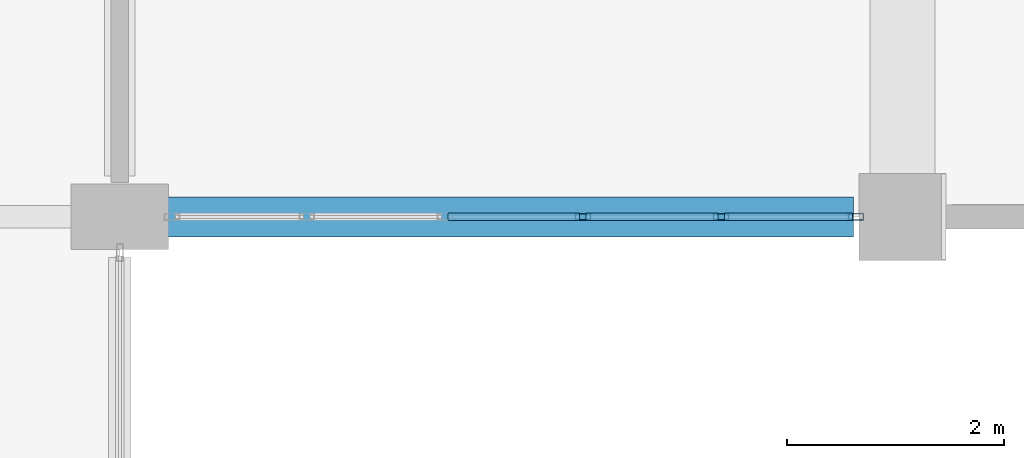
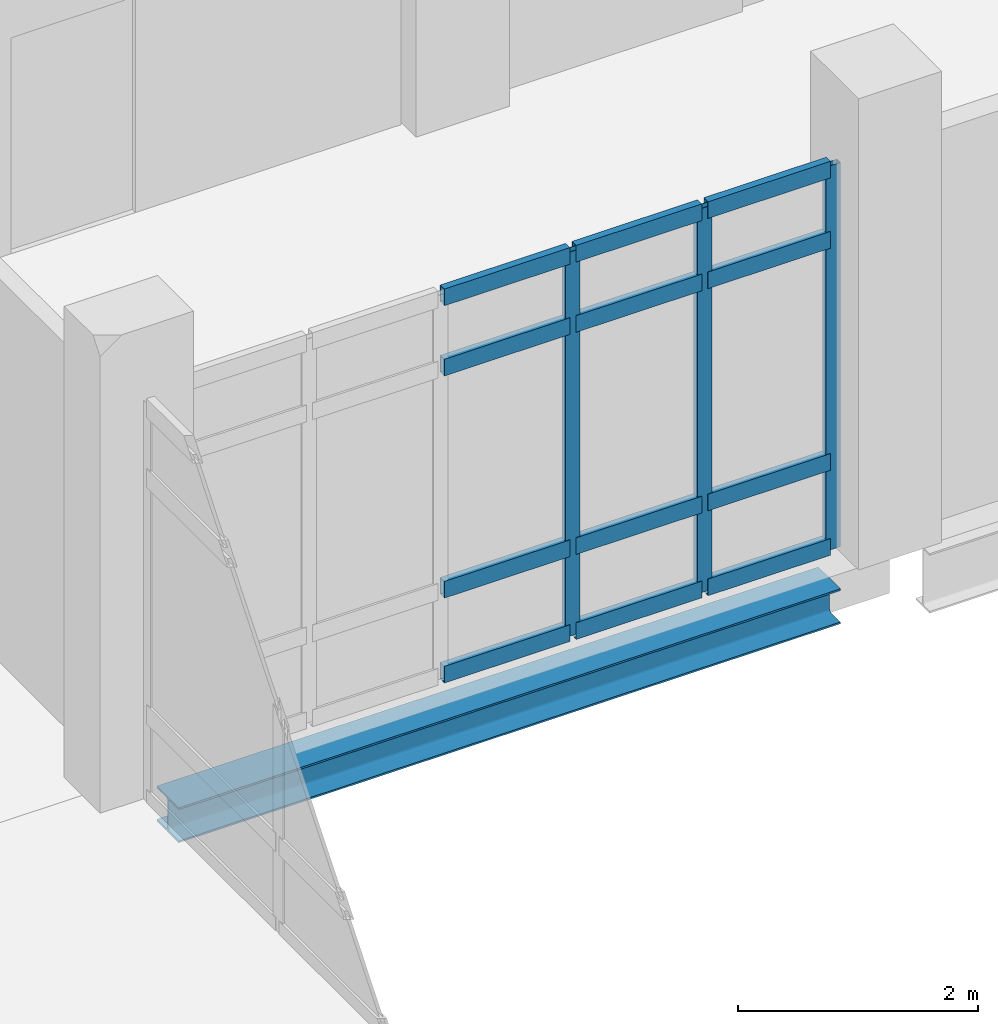
# One storey, part 98 of 186: 15 members, 1 beam, 1 element without a shape of its own.
"""IFC4 building model written with IfcOpenShell, lengths in metres."""

from ifc_helpers import new_model, si_unit, direction, frame, origin, origin_2d, place, context, subcontext, project, spatial, hollow_rectangle, i_section, extrude, material, layer, layer_set, material_profile, profile_set, type_object, element, aggregate, save


model = new_model("IFC4")

# Units and contexts
model_context = context("Model", 3, precision=1e-05, world=origin(), true_north=direction((0.0, 1.0)))
body_context = subcontext(model_context, "Body", "Model", "MODEL_VIEW")
ifc_project = project(units=[si_unit("LENGTHUNIT", "METRE"), si_unit("AREAUNIT", "SQUARE_METRE"), si_unit("VOLUMEUNIT", "CUBIC_METRE"), si_unit("PLANEANGLEUNIT", "RADIAN"), si_unit("MASSUNIT", "GRAM", prefix="KILO")], contexts=[model_context])

# Site, building, storey
site_placement = place(None, origin())
site = spatial("IfcSite", under=ifc_project, at=site_placement, CompositionType="ELEMENT")
building_placement = place(site_placement, origin())
building = spatial("IfcBuilding", under=site, at=building_placement, Name="Calvrana Isthmian Art Gallery", CompositionType="ELEMENT")
storey_placement = place(building_placement, frame((0.0, 0.0, 5.39990234375)))
storey = spatial("IfcBuildingStorey", under=building, at=storey_placement, Name="L01", CompositionType="ELEMENT", Elevation=5.39990234375)

# Beam
ifc_material_1 = material(Name="Steel ASTM A992 Gr 50", Category="steel")
ifc_material_profile_1 = material_profile(ifc_material_1, i_section(OverallWidth=0.367919921875, OverallDepth=0.35595703125, WebThickness=0.01123046875, FlangeThickness=0.01806640625, FilletRadius=0.02490234375, at=origin_2d()), Name="W14X90")
ifc_profile_set_1 = profile_set([ifc_material_profile_1], Name="Steel ASTM A992 Gr 50")
beam_type = type_object("IfcBeamType", Name="BM-SP-W14X90", PredefinedType="SPANDREL", material=ifc_profile_set_1)
beam_placement = place(storey_placement, frame((120.375, 76.800048828125, -0.48291015625), z_axis=(1.0, 0.0, 0.0), x_axis=(0.0, 1.0, 0.0)))
element("IfcBeam", 1, at=beam_placement, inside=storey, type_object=beam_type, Name="Girder X L01 16-17/K", PredefinedType="SPANDREL", context=body_context, shape_type="SweptSolid", body=[
    extrude(i_section(OverallWidth=0.367919921875, OverallDepth=0.35595703125, WebThickness=0.01123046875, FlangeThickness=0.01806640625, FilletRadius=0.02490234375, at=origin_2d()), origin(), (0.0, 0.0, 1.0), 6.375),
])

# Curtain wall, members
ifc_material_2 = material(Name="Anodized bronze aluminium 6063-T6", Category="aluminium")
ifc_layer = layer(ifc_material_2, 0.179931640625, Name="Anodized bronze aluminium 6063-T6")
ifc_layer_set = layer_set([ifc_layer], Name="Anodized bronze aluminium 6063-T6")
curtain_wall_type = type_object("IfcCurtainWallType", Name="CW-UNIT-063X39", PredefinedType="USERDEFINED", material=ifc_layer_set)
curtain_wall_placement = place(storey_placement, origin())
curtain_wall = element("IfcCurtainWall", 2, at=curtain_wall_placement, inside=storey, type_object=curtain_wall_type, Name="Curtain wall CW-108", ObjectType="UNITISED CURTAIN WALL", PredefinedType="USERDEFINED")
ifc_material_profile_2 = material_profile(ifc_material_2, hollow_rectangle(XDim=0.06005859375, YDim=0.139892578125, WallThickness=0.00390625, at=origin_2d()), Name="CWM60X140")
ifc_profile_set_2 = profile_set([ifc_material_profile_2], Name="Anodized bronze aluminium 6063-T6")
member_type_1 = type_object("IfcMemberType", Name="CWM-CWM60X140", PredefinedType="MULLION", material=ifc_profile_set_2)
member_1_placement = place(storey_placement, frame((126.77001953125, 76.800048828125, 0.0), z_axis=(0.0, 0.0, 1.0), x_axis=(0.0, -1.0, 0.0)))
member_1 = element("IfcMember", 3, at=member_1_placement, type_object=member_type_1, Name="CW-108 mullion 1", PredefinedType="MULLION", context=body_context, shape_type="SweptSolid", body=[
    extrude(hollow_rectangle(XDim=0.06005859375, YDim=0.139892578125, WallThickness=0.00390625, at=origin_2d()), origin(), (0.0, 0.0, 1.0), 3.9130859375),
])
member_2_placement = place(storey_placement, frame((125.530029296875, 76.800048828125, 0.0), z_axis=(0.0, 0.0, 1.0), x_axis=(0.0, -1.0, 0.0)))
member_2 = element("IfcMember", 4, at=member_2_placement, type_object=member_type_1, Name="CW-108 mullion 2", PredefinedType="MULLION", context=body_context, shape_type="SweptSolid", body=[
    extrude(hollow_rectangle(XDim=0.06005859375, YDim=0.139892578125, WallThickness=0.00390625, at=origin_2d()), origin(), (0.0, 0.0, 1.0), 3.9130859375),
])
member_3_placement = place(storey_placement, frame((124.260009765625, 76.800048828125, 0.0), z_axis=(0.0, 0.0, 1.0), x_axis=(0.0, -1.0, 0.0)))
member_3 = element("IfcMember", 5, at=member_3_placement, type_object=member_type_1, Name="CW-108 mullion 3", PredefinedType="MULLION", context=body_context, shape_type="SweptSolid", body=[
    extrude(hollow_rectangle(XDim=0.06005859375, YDim=0.139892578125, WallThickness=0.00390625, at=origin_2d()), origin(), (0.0, 0.0, 1.0), 3.9130859375),
])
ifc_material_profile_3 = material_profile(ifc_material_2, hollow_rectangle(XDim=0.070068359375, YDim=0.169921875, WallThickness=0.00439453125, at=origin_2d()), Name="CWT70X170")
ifc_profile_set_3 = profile_set([ifc_material_profile_3], Name="Anodized bronze aluminium 6063-T6")
member_type_2 = type_object("IfcMemberType", Name="CWT-CWT70X170", PredefinedType="USERDEFINED", material=ifc_profile_set_3)
member_4_placement = place(storey_placement, frame((126.739990234375, 76.800048828125, 0.03515625), z_axis=(-1.0, 0.0, 0.0), x_axis=(0.0, -1.0, 0.0)))
member_4 = element("IfcMember", 6, at=member_4_placement, type_object=member_type_2, Name="CW-108 transom 1.1", ObjectType="TRANSOM", PredefinedType="USERDEFINED", context=body_context, shape_type="SweptSolid", body=[
    extrude(hollow_rectangle(XDim=0.070068359375, YDim=0.169921875, WallThickness=0.00439453125, at=origin_2d()), origin(), (0.0, 0.0, 1.0), 1.179931640625),
])
member_5_placement = place(storey_placement, frame((126.739990234375, 76.800048828125, 0.900146484375), z_axis=(-1.0, 0.0, 0.0), x_axis=(0.0, -1.0, 0.0)))
member_5 = element("IfcMember", 7, at=member_5_placement, type_object=member_type_2, Name="CW-108 transom 1.2", ObjectType="TRANSOM", PredefinedType="USERDEFINED", context=body_context, shape_type="SweptSolid", body=[
    extrude(hollow_rectangle(XDim=0.070068359375, YDim=0.169921875, WallThickness=0.00439453125, at=origin_2d()), origin(), (0.0, 0.0, 1.0), 1.179931640625),
])
member_6_placement = place(storey_placement, frame((126.739990234375, 76.800048828125, 3.1630859375), z_axis=(-1.0, 0.0, 0.0), x_axis=(0.0, -1.0, 0.0)))
member_6 = element("IfcMember", 8, at=member_6_placement, type_object=member_type_2, Name="CW-108 transom 1.3", ObjectType="TRANSOM", PredefinedType="USERDEFINED", context=body_context, shape_type="SweptSolid", body=[
    extrude(hollow_rectangle(XDim=0.070068359375, YDim=0.169921875, WallThickness=0.00439453125, at=origin_2d()), origin(), (0.0, 0.0, 1.0), 1.179931640625),
])
member_7_placement = place(storey_placement, frame((126.739990234375, 76.800048828125, 3.878173828125), z_axis=(-1.0, 0.0, 0.0), x_axis=(0.0, -1.0, 0.0)))
member_7 = element("IfcMember", 9, at=member_7_placement, type_object=member_type_2, Name="CW-108 transom 1.4", ObjectType="TRANSOM", PredefinedType="USERDEFINED", context=body_context, shape_type="SweptSolid", body=[
    extrude(hollow_rectangle(XDim=0.070068359375, YDim=0.169921875, WallThickness=0.00439453125, at=origin_2d()), origin(), (0.0, 0.0, 1.0), 1.179931640625),
])
member_8_placement = place(storey_placement, frame((125.5, 76.800048828125, 0.03515625), z_axis=(-1.0, 0.0, 0.0), x_axis=(0.0, -1.0, 0.0)))
member_8 = element("IfcMember", 10, at=member_8_placement, type_object=member_type_2, Name="CW-108 transom 2.1", ObjectType="TRANSOM", PredefinedType="USERDEFINED", context=body_context, shape_type="SweptSolid", body=[
    extrude(hollow_rectangle(XDim=0.070068359375, YDim=0.169921875, WallThickness=0.00439453125, at=origin_2d()), origin(), (0.0, 0.0, 1.0), 1.2099609375),
])
member_9_placement = place(storey_placement, frame((125.5, 76.800048828125, 0.900146484375), z_axis=(-1.0, 0.0, 0.0), x_axis=(0.0, -1.0, 0.0)))
member_9 = element("IfcMember", 11, at=member_9_placement, type_object=member_type_2, Name="CW-108 transom 2.2", ObjectType="TRANSOM", PredefinedType="USERDEFINED", context=body_context, shape_type="SweptSolid", body=[
    extrude(hollow_rectangle(XDim=0.070068359375, YDim=0.169921875, WallThickness=0.00439453125, at=origin_2d()), origin(), (0.0, 0.0, 1.0), 1.2099609375),
])
member_10_placement = place(storey_placement, frame((125.5, 76.800048828125, 3.1630859375), z_axis=(-1.0, 0.0, 0.0), x_axis=(0.0, -1.0, 0.0)))
member_10 = element("IfcMember", 12, at=member_10_placement, type_object=member_type_2, Name="CW-108 transom 2.3", ObjectType="TRANSOM", PredefinedType="USERDEFINED", context=body_context, shape_type="SweptSolid", body=[
    extrude(hollow_rectangle(XDim=0.070068359375, YDim=0.169921875, WallThickness=0.00439453125, at=origin_2d()), origin(), (0.0, 0.0, 1.0), 1.2099609375),
])
member_11_placement = place(storey_placement, frame((125.5, 76.800048828125, 3.878173828125), z_axis=(-1.0, 0.0, 0.0), x_axis=(0.0, -1.0, 0.0)))
member_11 = element("IfcMember", 13, at=member_11_placement, type_object=member_type_2, Name="CW-108 transom 2.4", ObjectType="TRANSOM", PredefinedType="USERDEFINED", context=body_context, shape_type="SweptSolid", body=[
    extrude(hollow_rectangle(XDim=0.070068359375, YDim=0.169921875, WallThickness=0.00439453125, at=origin_2d()), origin(), (0.0, 0.0, 1.0), 1.2099609375),
])
member_12_placement = place(storey_placement, frame((124.22998046875, 76.800048828125, 0.03515625), z_axis=(-1.0, 0.0, 0.0), x_axis=(0.0, -1.0, 0.0)))
member_12 = element("IfcMember", 14, at=member_12_placement, type_object=member_type_2, Name="CW-108 transom 3.1", ObjectType="TRANSOM", PredefinedType="USERDEFINED", context=body_context, shape_type="SweptSolid", body=[
    extrude(hollow_rectangle(XDim=0.070068359375, YDim=0.169921875, WallThickness=0.00439453125, at=origin_2d()), origin(), (0.0, 0.0, 1.0), 1.2099609375),
])
member_13_placement = place(storey_placement, frame((124.22998046875, 76.800048828125, 0.900146484375), z_axis=(-1.0, 0.0, 0.0), x_axis=(0.0, -1.0, 0.0)))
member_13 = element("IfcMember", 15, at=member_13_placement, type_object=member_type_2, Name="CW-108 transom 3.2", ObjectType="TRANSOM", PredefinedType="USERDEFINED", context=body_context, shape_type="SweptSolid", body=[
    extrude(hollow_rectangle(XDim=0.070068359375, YDim=0.169921875, WallThickness=0.00439453125, at=origin_2d()), origin(), (0.0, 0.0, 1.0), 1.2099609375),
])
member_14_placement = place(storey_placement, frame((124.22998046875, 76.800048828125, 3.1630859375), z_axis=(-1.0, 0.0, 0.0), x_axis=(0.0, -1.0, 0.0)))
member_14 = element("IfcMember", 16, at=member_14_placement, type_object=member_type_2, Name="CW-108 transom 3.3", ObjectType="TRANSOM", PredefinedType="USERDEFINED", context=body_context, shape_type="SweptSolid", body=[
    extrude(hollow_rectangle(XDim=0.070068359375, YDim=0.169921875, WallThickness=0.00439453125, at=origin_2d()), origin(), (0.0, 0.0, 1.0), 1.2099609375),
])
member_15_placement = place(storey_placement, frame((124.22998046875, 76.800048828125, 3.878173828125), z_axis=(-1.0, 0.0, 0.0), x_axis=(0.0, -1.0, 0.0)))
member_15 = element("IfcMember", 17, at=member_15_placement, type_object=member_type_2, Name="CW-108 transom 3.4", ObjectType="TRANSOM", PredefinedType="USERDEFINED", context=body_context, shape_type="SweptSolid", body=[
    extrude(hollow_rectangle(XDim=0.070068359375, YDim=0.169921875, WallThickness=0.00439453125, at=origin_2d()), origin(), (0.0, 0.0, 1.0), 1.2099609375),
])
aggregate(curtain_wall, [member_1, member_2, member_3, member_4, member_5, member_6, member_7, member_8, member_9, member_10, member_11, member_12, member_13, member_14, member_15])

save(model, "model.ifc")
